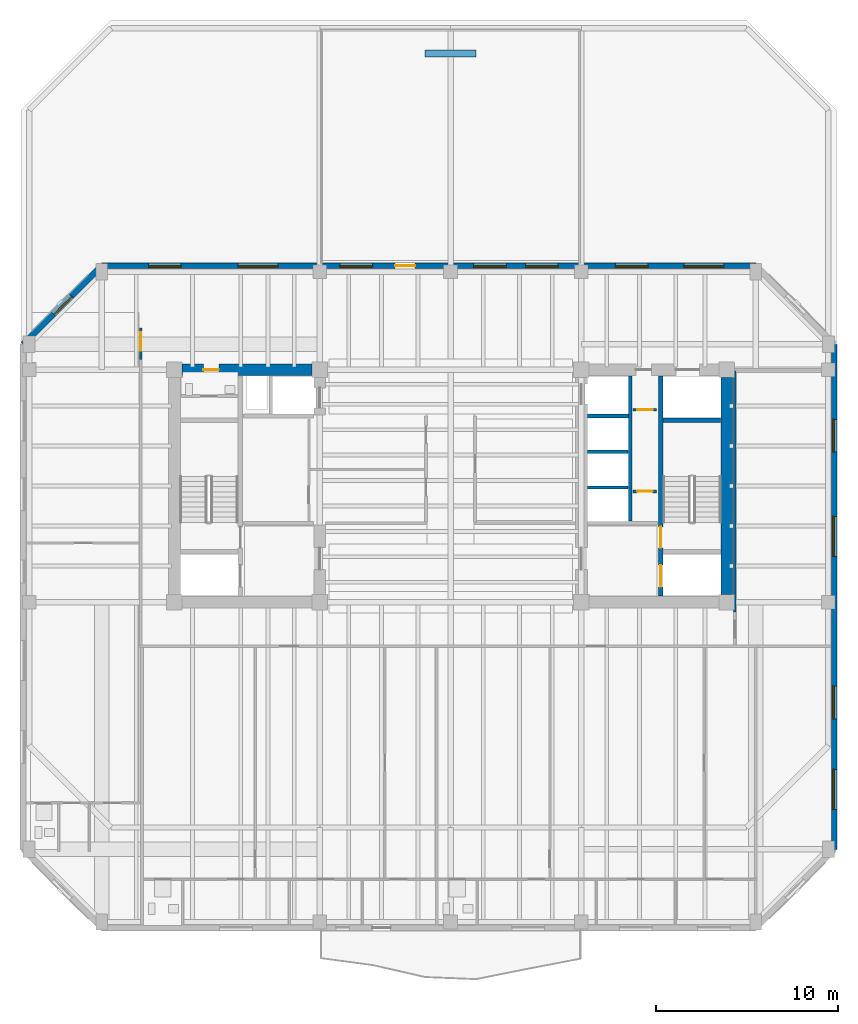
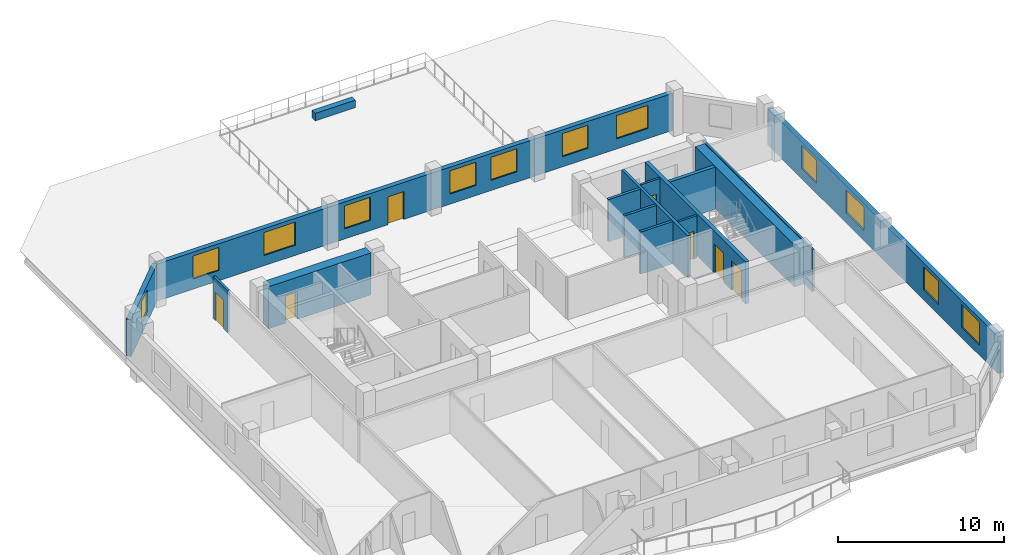
# One storey, part 5 of 11: 16 walls, 12 windows, 7 doors, 19 openings.
"""IFC4 building model written with IfcOpenShell, lengths in metres."""

from ifc_helpers import new_model, si_unit, direction, frame, frame_2d, origin, place, context, subcontext, project, spatial, rectangle, extrude, material, layer, layer_set, type_object, element, fill, save


model = new_model("IFC4")

# Units and contexts
model_context = context("Model", 3, precision=1e-05, world=origin(), true_north=direction((0.0, 1.0)))
body_context = subcontext(model_context, "Body", "Model", "MODEL_VIEW")
ifc_project = project(units=[si_unit("LENGTHUNIT", "METRE"), si_unit("AREAUNIT", "SQUARE_METRE"), si_unit("VOLUMEUNIT", "CUBIC_METRE"), si_unit("PLANEANGLEUNIT", "RADIAN"), si_unit("MASSUNIT", "GRAM", prefix="KILO")], contexts=[model_context])

# Site, building, storey
site_placement = place(None, origin())
site = spatial("IfcSite", under=ifc_project, at=site_placement, CompositionType="ELEMENT")
building_placement = place(site_placement, origin())
building = spatial("IfcBuilding", under=site, at=building_placement, Name="Kranthara Brick Stack", CompositionType="ELEMENT")
storey_placement = place(building_placement, frame((0.0, 0.0, 207.5)))
storey = spatial("IfcBuildingStorey", under=building, at=storey_placement, Name="L53", CompositionType="ELEMENT", Elevation=207.5)

# Wall, opening, window
ifc_material_1 = material(Name="Warm buff clay brick masonry M15", Category="masonry")
ifc_layer_1 = layer(ifc_material_1, 0.320068359375)
ifc_layer_set_1 = layer_set([ifc_layer_1], Name="Warm buff clay brick masonry M15")
wall_type_1 = type_object("IfcWallType", Name="WL-BRK-UPPR-320", PredefinedType="STANDARD", material=ifc_layer_set_1)
wall_1_placement = place(storey_placement, frame((4.47998046875, 35.0, 0.0), z_axis=(0.0, 0.0, 1.0), x_axis=(0.707106781187, 0.707106781187, 0.0)))
wall_1 = element("IfcWall", 1, at=wall_1_placement, inside=storey, type_object=wall_type_1, Name="L53 Exterior Brick Facade Wall NW 1", PredefinedType="STANDARD", context=body_context, shape_type="SweptSolid", body=[
    extrude(rectangle(XDim=6.109619140625, YDim=0.320068359375, at=frame_2d((3.0546875, 0.0))), origin(), (0.0, 0.0, 1.0), 2.72509765625),
])
opening_1_placement = place(wall_1_placement, frame((2.35498046875, 0.0, 0.75)))
opening_1 = element("IfcOpeningElement", 2, at=opening_1_placement, cuts=wall_1, Name="Opening WN10", PredefinedType="OPENING", context=body_context, shape_type="SweptSolid", body=[
    extrude(rectangle(XDim=1.39990234375, YDim=1.64990234375, at=frame_2d((0.699951171875, 0.824951171875))), frame((0.0, 0.169921875, 0.0), z_axis=(0.0, -1.0, 0.0), x_axis=(1.0, 0.0, 0.0)), (0.0, 0.0, 1.0), 0.340087890625),
])
ifc_material_2 = material(Name="Double-glazed low-E solar control glass", Category="glass")
window_type_1 = type_object("IfcWindowType", Name="WN-CHM-1400x1750", PartitioningType="SINGLE_PANEL", PredefinedType="WINDOW", material=ifc_material_2)
window_1_placement = place(opening_1_placement, origin())
window_1 = element("IfcWindow", 3, at=window_1_placement, inside=storey, type_object=window_type_1, Name="L53 NW Chamfer Corner Window", OverallHeight=1.64990234375, OverallWidth=1.39990234375, PartitioningType="SINGLE_PANEL", PredefinedType="WINDOW", context=body_context, shape_type="SweptSolid", body=[
    extrude(rectangle(XDim=1.39990234375, YDim=1.64990234375, at=frame_2d((0.699951171875, 0.824951171875))), frame((0.0, -0.010009765625, 0.0), z_axis=(0.0, -1.0, 0.0), x_axis=(1.0, 0.0, 0.0)), (0.0, 0.0, 1.0), 0.06005859375),
])
fill(opening_1, window_1)

# Wall, openings, door, windows
wall_2_placement = place(storey_placement, frame((8.800048828125, 39.320068359375, 0.0), z_axis=(0.0, 0.0, 1.0), x_axis=(1.0, 0.0, 0.0)))
wall_2 = element("IfcWall", 4, at=wall_2_placement, inside=storey, type_object=wall_type_1, Name="L53 Exterior Brick Facade Wall NORTH 1", PredefinedType="STANDARD", context=body_context, shape_type="SweptSolid", body=[
    extrude(rectangle(XDim=36.0, YDim=0.320068359375, at=frame_2d((18.0, 0.0))), origin(), (0.0, 0.0, 1.0), 2.72509765625),
])
opening_2_placement = place(wall_2_placement, frame((16.14990234375, 0.0, 0.0)))
opening_2 = element("IfcOpeningElement", 5, at=opening_2_placement, cuts=wall_2, Name="Opening D02", PredefinedType="OPENING", context=body_context, shape_type="SweptSolid", body=[
    extrude(rectangle(XDim=1.10009765625, YDim=2.050048828125, at=frame_2d((0.550048828125, 1.02490234375))), frame((0.0, 0.169921875, 0.0), z_axis=(0.0, -1.0, 0.0), x_axis=(1.0, 0.0, 0.0)), (0.0, 0.0, 1.0), 0.340087890625),
])
opening_3_placement = place(wall_2_placement, frame((2.575927734375, 0.0, 0.75)))
opening_3 = element("IfcOpeningElement", 6, at=opening_3_placement, cuts=wall_2, Name="Opening WN07", PredefinedType="OPENING", context=body_context, shape_type="SweptSolid", body=[
    extrude(rectangle(XDim=1.800048828125, YDim=1.699951171875, at=frame_2d((0.89990234375, 0.85009765625))), frame((0.0, 0.169921875, 0.0), z_axis=(0.0, -1.0, 0.0), x_axis=(1.0, 0.0, 0.0)), (0.0, 0.0, 1.0), 0.340087890625),
])
opening_4_placement = place(wall_2_placement, frame((7.5, 0.0, 0.75)))
opening_4 = element("IfcOpeningElement", 7, at=opening_4_placement, cuts=wall_2, Name="Opening WN08", PredefinedType="OPENING", context=body_context, shape_type="SweptSolid", body=[
    extrude(rectangle(XDim=2.199951171875, YDim=1.699951171875, at=frame_2d((1.10009765625, 0.85009765625))), frame((0.0, 0.169921875, 0.0), z_axis=(0.0, -1.0, 0.0), x_axis=(1.0, 0.0, 0.0)), (0.0, 0.0, 1.0), 0.340087890625),
])
opening_5_placement = place(wall_2_placement, frame((13.112060546875, 0.0, 0.75)))
opening_5 = element("IfcOpeningElement", 8, at=opening_5_placement, cuts=wall_2, Name="Opening WN07", PredefinedType="OPENING", context=body_context, shape_type="SweptSolid", body=[
    extrude(rectangle(XDim=1.800048828125, YDim=1.699951171875, at=frame_2d((0.89990234375, 0.85009765625))), frame((0.0, 0.169921875, 0.0), z_axis=(0.0, -1.0, 0.0), x_axis=(1.0, 0.0, 0.0)), (0.0, 0.0, 1.0), 0.340087890625),
])
opening_6_placement = place(wall_2_placement, frame((20.471923828125, 0.0, 0.75)))
opening_6 = element("IfcOpeningElement", 9, at=opening_6_placement, cuts=wall_2, Name="Opening WN07", PredefinedType="OPENING", context=body_context, shape_type="SweptSolid", body=[
    extrude(rectangle(XDim=1.800048828125, YDim=1.699951171875, at=frame_2d((0.89990234375, 0.85009765625))), frame((0.0, 0.169921875, 0.0), z_axis=(0.0, -1.0, 0.0), x_axis=(1.0, 0.0, 0.0)), (0.0, 0.0, 1.0), 0.340087890625),
])
opening_7_placement = place(wall_2_placement, frame((23.327880859375, 0.0, 0.75)))
opening_7 = element("IfcOpeningElement", 10, at=opening_7_placement, cuts=wall_2, Name="Opening WN07", PredefinedType="OPENING", context=body_context, shape_type="SweptSolid", body=[
    extrude(rectangle(XDim=1.800048828125, YDim=1.699951171875, at=frame_2d((0.89990234375, 0.85009765625))), frame((0.0, 0.169921875, 0.0), z_axis=(0.0, -1.0, 0.0), x_axis=(1.0, 0.0, 0.0)), (0.0, 0.0, 1.0), 0.340087890625),
])
opening_8_placement = place(wall_2_placement, frame((28.277099609375, 0.0, 0.75)))
opening_8 = element("IfcOpeningElement", 11, at=opening_8_placement, cuts=wall_2, Name="Opening WN07", PredefinedType="OPENING", context=body_context, shape_type="SweptSolid", body=[
    extrude(rectangle(XDim=1.800048828125, YDim=1.699951171875, at=frame_2d((0.89990234375, 0.85009765625))), frame((0.0, 0.169921875, 0.0), z_axis=(0.0, -1.0, 0.0), x_axis=(1.0, 0.0, 0.0)), (0.0, 0.0, 1.0), 0.340087890625),
])
opening_9_placement = place(wall_2_placement, frame((32.048095703125, 0.0, 0.75)))
opening_9 = element("IfcOpeningElement", 12, at=opening_9_placement, cuts=wall_2, Name="Opening WN08", PredefinedType="OPENING", context=body_context, shape_type="SweptSolid", body=[
    extrude(rectangle(XDim=2.199951171875, YDim=1.699951171875, at=frame_2d((1.10009765625, 0.85009765625))), frame((0.0, 0.169921875, 0.0), z_axis=(0.0, -1.0, 0.0), x_axis=(1.0, 0.0, 0.0)), (0.0, 0.0, 1.0), 0.340087890625),
])
ifc_material_3 = material(Name="Bronze anodised aluminium and laminated glass", Category="aluminium")
door_type_1 = type_object("IfcDoorType", Name="DR-TERR-1100", OperationType="NOTDEFINED", PredefinedType="DOOR", material=ifc_material_3)
door_1_placement = place(opening_2_placement, origin())
door_1 = element("IfcDoor", 13, at=door_1_placement, inside=storey, type_object=door_type_1, Name="L53 Planted Sky Garden Terrace Door", OperationType="SINGLE_SWING_LEFT", OverallHeight=2.050048828125, OverallWidth=1.10009765625, PredefinedType="DOOR", context=body_context, shape_type="SweptSolid", body=[
    extrude(rectangle(XDim=1.10009765625, YDim=2.050048828125, at=frame_2d((0.550048828125, 1.02490234375))), frame((0.0, 0.02490234375, 0.0), z_axis=(0.0, -1.0, 0.0), x_axis=(1.0, 0.0, 0.0)), (0.0, 0.0, 1.0), 0.050048828125),
])
fill(opening_2, door_1)
ifc_material_4 = material(Name="Double-glazed low-E solar control glass", Category="glass")
window_type_2 = type_object("IfcWindowType", Name="WN-RES-1800x1850", PartitioningType="DOUBLE_PANEL_VERTICAL", PredefinedType="WINDOW", material=ifc_material_4)
window_2_placement = place(opening_3_placement, origin())
window_2 = element("IfcWindow", 14, at=window_2_placement, inside=storey, type_object=window_type_2, Name="L53 North Deep-Set Brick Window 01", OverallHeight=1.699951171875, OverallWidth=1.800048828125, PartitioningType="SINGLE_PANEL", PredefinedType="WINDOW", context=body_context, shape_type="SweptSolid", body=[
    extrude(rectangle(XDim=1.800048828125, YDim=1.699951171875, at=frame_2d((0.89990234375, 0.85009765625))), frame((0.0, -0.010009765625, 0.0), z_axis=(0.0, -1.0, 0.0), x_axis=(1.0, 0.0, 0.0)), (0.0, 0.0, 1.0), 0.06005859375),
])
fill(opening_3, window_2)
window_3_placement = place(opening_5_placement, origin())
window_3 = element("IfcWindow", 15, at=window_3_placement, inside=storey, type_object=window_type_2, Name="L53 North Deep-Set Brick Window 03", OverallHeight=1.699951171875, OverallWidth=1.800048828125, PartitioningType="SINGLE_PANEL", PredefinedType="WINDOW", context=body_context, shape_type="SweptSolid", body=[
    extrude(rectangle(XDim=1.800048828125, YDim=1.699951171875, at=frame_2d((0.89990234375, 0.85009765625))), frame((0.0, -0.010009765625, 0.0), z_axis=(0.0, -1.0, 0.0), x_axis=(1.0, 0.0, 0.0)), (0.0, 0.0, 1.0), 0.06005859375),
])
fill(opening_5, window_3)
window_4_placement = place(opening_6_placement, origin())
window_4 = element("IfcWindow", 16, at=window_4_placement, inside=storey, type_object=window_type_2, Name="L53 North Deep-Set Brick Window 04", OverallHeight=1.699951171875, OverallWidth=1.800048828125, PartitioningType="SINGLE_PANEL", PredefinedType="WINDOW", context=body_context, shape_type="SweptSolid", body=[
    extrude(rectangle(XDim=1.800048828125, YDim=1.699951171875, at=frame_2d((0.89990234375, 0.85009765625))), frame((0.0, -0.010009765625, 0.0), z_axis=(0.0, -1.0, 0.0), x_axis=(1.0, 0.0, 0.0)), (0.0, 0.0, 1.0), 0.06005859375),
])
fill(opening_6, window_4)
window_5_placement = place(opening_7_placement, origin())
window_5 = element("IfcWindow", 17, at=window_5_placement, inside=storey, type_object=window_type_2, Name="L53 North Deep-Set Brick Window 05", OverallHeight=1.699951171875, OverallWidth=1.800048828125, PartitioningType="SINGLE_PANEL", PredefinedType="WINDOW", context=body_context, shape_type="SweptSolid", body=[
    extrude(rectangle(XDim=1.800048828125, YDim=1.699951171875, at=frame_2d((0.89990234375, 0.85009765625))), frame((0.0, -0.010009765625, 0.0), z_axis=(0.0, -1.0, 0.0), x_axis=(1.0, 0.0, 0.0)), (0.0, 0.0, 1.0), 0.06005859375),
])
fill(opening_7, window_5)
window_6_placement = place(opening_8_placement, origin())
window_6 = element("IfcWindow", 18, at=window_6_placement, inside=storey, type_object=window_type_2, Name="L53 North Deep-Set Brick Window 06", OverallHeight=1.699951171875, OverallWidth=1.800048828125, PartitioningType="SINGLE_PANEL", PredefinedType="WINDOW", context=body_context, shape_type="SweptSolid", body=[
    extrude(rectangle(XDim=1.800048828125, YDim=1.699951171875, at=frame_2d((0.89990234375, 0.85009765625))), frame((0.0, -0.010009765625, 0.0), z_axis=(0.0, -1.0, 0.0), x_axis=(1.0, 0.0, 0.0)), (0.0, 0.0, 1.0), 0.06005859375),
])
fill(opening_8, window_6)
ifc_material_5 = material(Name="Double-glazed low-E solar control glass", Category="glass")
window_type_3 = type_object("IfcWindowType", Name="WN-RES-2200x1850", PartitioningType="TRIPLE_PANEL_VERTICAL", PredefinedType="WINDOW", material=ifc_material_5)
window_7_placement = place(opening_4_placement, origin())
window_7 = element("IfcWindow", 19, at=window_7_placement, inside=storey, type_object=window_type_3, Name="L53 North Deep-Set Brick Window 02", OverallHeight=1.699951171875, OverallWidth=2.199951171875, PartitioningType="SINGLE_PANEL", PredefinedType="WINDOW", context=body_context, shape_type="SweptSolid", body=[
    extrude(rectangle(XDim=2.199951171875, YDim=1.699951171875, at=frame_2d((1.10009765625, 0.85009765625))), frame((0.0, -0.010009765625, 0.0), z_axis=(0.0, -1.0, 0.0), x_axis=(1.0, 0.0, 0.0)), (0.0, 0.0, 1.0), 0.06005859375),
])
fill(opening_4, window_7)
window_8_placement = place(opening_9_placement, origin())
window_8 = element("IfcWindow", 20, at=window_8_placement, inside=storey, type_object=window_type_3, Name="L53 North Deep-Set Brick Window 07", OverallHeight=1.699951171875, OverallWidth=2.199951171875, PartitioningType="SINGLE_PANEL", PredefinedType="WINDOW", context=body_context, shape_type="SweptSolid", body=[
    extrude(rectangle(XDim=2.199951171875, YDim=1.699951171875, at=frame_2d((1.10009765625, 0.85009765625))), frame((0.0, -0.010009765625, 0.0), z_axis=(0.0, -1.0, 0.0), x_axis=(1.0, 0.0, 0.0)), (0.0, 0.0, 1.0), 0.06005859375),
])
fill(opening_9, window_8)

# Wall, openings, windows
wall_3_placement = place(storey_placement, frame((49.1201171875, 35.0, 0.0), z_axis=(0.0, 0.0, 1.0), x_axis=(0.0, -1.0, 0.0)))
wall_3 = element("IfcWall", 21, at=wall_3_placement, inside=storey, type_object=wall_type_1, Name="L53 Exterior Brick Facade Wall EAST 1", PredefinedType="STANDARD", context=body_context, shape_type="SweptSolid", body=[
    extrude(rectangle(XDim=27.800048828125, YDim=0.320068359375, at=frame_2d((13.89990234375, 0.0))), origin(), (0.0, 0.0, 1.0), 2.72509765625),
])
opening_10_placement = place(wall_3_placement, frame((4.1279296875, 0.0, 0.75)))
opening_10 = element("IfcOpeningElement", 22, at=opening_10_placement, cuts=wall_3, Name="Opening WN07", PredefinedType="OPENING", context=body_context, shape_type="SweptSolid", body=[
    extrude(rectangle(XDim=1.800048828125, YDim=1.699951171875, at=frame_2d((0.89990234375, 0.85009765625))), frame((0.0, 0.169921875, 0.0), z_axis=(0.0, -1.0, 0.0), x_axis=(1.0, 0.0, 0.0)), (0.0, 0.0, 1.0), 0.340087890625),
])
opening_11_placement = place(wall_3_placement, frame((9.471923828125, 0.0, 0.75)))
opening_11 = element("IfcOpeningElement", 23, at=opening_11_placement, cuts=wall_3, Name="Opening WN08", PredefinedType="OPENING", context=body_context, shape_type="SweptSolid", body=[
    extrude(rectangle(XDim=2.199951171875, YDim=1.699951171875, at=frame_2d((1.10009765625, 0.85009765625))), frame((0.0, 0.169921875, 0.0), z_axis=(0.0, -1.0, 0.0), x_axis=(1.0, 0.0, 0.0)), (0.0, 0.0, 1.0), 0.340087890625),
])
opening_12_placement = place(wall_3_placement, frame((18.81494140625, 0.0, 0.75)))
opening_12 = element("IfcOpeningElement", 24, at=opening_12_placement, cuts=wall_3, Name="Opening WN07", PredefinedType="OPENING", context=body_context, shape_type="SweptSolid", body=[
    extrude(rectangle(XDim=1.800048828125, YDim=1.699951171875, at=frame_2d((0.89990234375, 0.85009765625))), frame((0.0, 0.169921875, 0.0), z_axis=(0.0, -1.0, 0.0), x_axis=(1.0, 0.0, 0.0)), (0.0, 0.0, 1.0), 0.340087890625),
])
opening_13_placement = place(wall_3_placement, frame((23.405029296875, 0.0, 0.75)))
opening_13 = element("IfcOpeningElement", 25, at=opening_13_placement, cuts=wall_3, Name="Opening WN08", PredefinedType="OPENING", context=body_context, shape_type="SweptSolid", body=[
    extrude(rectangle(XDim=2.199951171875, YDim=1.699951171875, at=frame_2d((1.10009765625, 0.85009765625))), frame((0.0, 0.169921875, 0.0), z_axis=(0.0, -1.0, 0.0), x_axis=(1.0, 0.0, 0.0)), (0.0, 0.0, 1.0), 0.340087890625),
])
window_9_placement = place(opening_10_placement, origin())
window_9 = element("IfcWindow", 26, at=window_9_placement, inside=storey, type_object=window_type_2, Name="L53 East Deep-Set Brick Window 01", OverallHeight=1.699951171875, OverallWidth=1.800048828125, PartitioningType="SINGLE_PANEL", PredefinedType="WINDOW", context=body_context, shape_type="SweptSolid", body=[
    extrude(rectangle(XDim=1.800048828125, YDim=1.699951171875, at=frame_2d((0.89990234375, 0.85009765625))), frame((0.0, -0.010009765625, 0.0), z_axis=(0.0, -1.0, 0.0), x_axis=(1.0, 0.0, 0.0)), (0.0, 0.0, 1.0), 0.06005859375),
])
fill(opening_10, window_9)
window_10_placement = place(opening_12_placement, origin())
window_10 = element("IfcWindow", 27, at=window_10_placement, inside=storey, type_object=window_type_2, Name="L53 East Deep-Set Brick Window 03", OverallHeight=1.699951171875, OverallWidth=1.800048828125, PartitioningType="SINGLE_PANEL", PredefinedType="WINDOW", context=body_context, shape_type="SweptSolid", body=[
    extrude(rectangle(XDim=1.800048828125, YDim=1.699951171875, at=frame_2d((0.89990234375, 0.85009765625))), frame((0.0, -0.010009765625, 0.0), z_axis=(0.0, -1.0, 0.0), x_axis=(1.0, 0.0, 0.0)), (0.0, 0.0, 1.0), 0.06005859375),
])
fill(opening_12, window_10)
window_11_placement = place(opening_11_placement, origin())
window_11 = element("IfcWindow", 28, at=window_11_placement, inside=storey, type_object=window_type_3, Name="L53 East Deep-Set Brick Window 02", OverallHeight=1.699951171875, OverallWidth=2.199951171875, PartitioningType="SINGLE_PANEL", PredefinedType="WINDOW", context=body_context, shape_type="SweptSolid", body=[
    extrude(rectangle(XDim=2.199951171875, YDim=1.699951171875, at=frame_2d((1.10009765625, 0.85009765625))), frame((0.0, -0.010009765625, 0.0), z_axis=(0.0, -1.0, 0.0), x_axis=(1.0, 0.0, 0.0)), (0.0, 0.0, 1.0), 0.06005859375),
])
fill(opening_11, window_11)
window_12_placement = place(opening_13_placement, origin())
window_12 = element("IfcWindow", 29, at=window_12_placement, inside=storey, type_object=window_type_3, Name="L53 East Deep-Set Brick Window 04", OverallHeight=1.699951171875, OverallWidth=2.199951171875, PartitioningType="SINGLE_PANEL", PredefinedType="WINDOW", context=body_context, shape_type="SweptSolid", body=[
    extrude(rectangle(XDim=2.199951171875, YDim=1.699951171875, at=frame_2d((1.10009765625, 0.85009765625))), frame((0.0, -0.010009765625, 0.0), z_axis=(0.0, -1.0, 0.0), x_axis=(1.0, 0.0, 0.0)), (0.0, 0.0, 1.0), 0.06005859375),
])
fill(opening_13, window_12)

# Wall, openings, doors
ifc_material_6 = material(Name="Concrete C50/60", Category="concrete")
ifc_layer_2 = layer(ifc_material_6, 0.25)
ifc_layer_set_2 = layer_set([ifc_layer_2], Name="Concrete C50/60")
wall_type_2 = type_object("IfcWallType", Name="WL-CORE-250", PredefinedType="SHEAR", material=ifc_layer_set_2)
wall_4_placement = place(storey_placement, frame((39.56494140625, 21.135009765625, 0.0), z_axis=(0.0, 0.0, 1.0), x_axis=(0.0, 1.0, 0.0)))
wall_4 = element("IfcWall", 30, at=wall_4_placement, inside=storey, type_object=wall_type_2, Name="L53 East Core Stair Bearing Spine Wall", PredefinedType="SHEAR", context=body_context, shape_type="SweptSolid", body=[
    extrude(rectangle(XDim=12.1298828125, YDim=0.25, at=frame_2d((6.06494140625, 0.0))), origin(), (0.0, 0.0, 1.0), 3.10009765625),
])
opening_14_placement = place(wall_4_placement, frame((0.514892578125, 0.0, 0.0)))
opening_14 = element("IfcOpeningElement", 31, at=opening_14_placement, cuts=wall_4, Name="Opening LD01", PredefinedType="OPENING", context=body_context, shape_type="SweptSolid", body=[
    extrude(rectangle(XDim=1.199951171875, YDim=2.14990234375, at=frame_2d((0.60009765625, 1.074951171875))), frame((0.0, 0.135009765625, 0.0), z_axis=(0.0, -1.0, 0.0), x_axis=(1.0, 0.0, 0.0)), (0.0, 0.0, 1.0), 0.27001953125),
])
opening_15_placement = place(wall_4_placement, frame((2.6650390625, 0.0, 0.0)))
opening_15 = element("IfcOpeningElement", 32, at=opening_15_placement, cuts=wall_4, Name="Opening D05", PredefinedType="OPENING", context=body_context, shape_type="SweptSolid", body=[
    extrude(rectangle(XDim=1.14990234375, YDim=2.14990234375, at=frame_2d((0.574951171875, 1.074951171875))), frame((0.0, 0.135009765625, 0.0), z_axis=(0.0, -1.0, 0.0), x_axis=(1.0, 0.0, 0.0)), (0.0, 0.0, 1.0), 0.27001953125),
])
ifc_material_7 = material(Name="Stainless steel sliding landing door", Category="steel")
door_type_2 = type_object("IfcDoorType", Name="DR-LD-FF1200", OperationType="DOUBLE_DOOR_SLIDING", PredefinedType="DOOR", material=ifc_material_7)
door_2_placement = place(opening_14_placement, origin())
door_2 = element("IfcDoor", 33, at=door_2_placement, inside=storey, type_object=door_type_2, Name="L53 Firefighting Lift FF-02 Landing Door", OperationType="DOUBLE_DOOR_SLIDING", OverallHeight=2.14990234375, OverallWidth=1.199951171875, PredefinedType="DOOR", context=body_context, shape_type="SweptSolid", body=[
    extrude(rectangle(XDim=1.199951171875, YDim=2.14990234375, at=frame_2d((0.60009765625, 1.074951171875))), frame((0.0, 0.02490234375, 0.0), z_axis=(0.0, -1.0, 0.0), x_axis=(1.0, 0.0, 0.0)), (0.0, 0.0, 1.0), 0.050048828125),
])
fill(opening_14, door_2)
ifc_material_8 = material(Name="Solid-core hardwood timber leaf in steel frame", Category="steel")
door_type_3 = type_object("IfcDoorType", Name="DR-ST-1150", OperationType="NOTDEFINED", PredefinedType="DOOR", material=ifc_material_8)
door_3_placement = place(opening_15_placement, origin())
door_3 = element("IfcDoor", 34, at=door_3_placement, inside=storey, type_object=door_type_3, Name="L53 Exit Stair ST02 Door", OperationType="SINGLE_SWING_LEFT", OverallHeight=2.14990234375, OverallWidth=1.14990234375, PredefinedType="DOOR", context=body_context, shape_type="SweptSolid", body=[
    extrude(rectangle(XDim=1.14990234375, YDim=2.14990234375, at=frame_2d((0.574951171875, 1.074951171875))), frame((0.0, 0.02490234375, 0.0), z_axis=(0.0, -1.0, 0.0), x_axis=(1.0, 0.0, 0.0)), (0.0, 0.0, 1.0), 0.050048828125),
])
fill(opening_15, door_3)

# Wall
wall_5_placement = place(storey_placement, frame((39.68994140625, 30.830078125, 0.0), z_axis=(0.0, 0.0, 1.0), x_axis=(1.0, 0.0, 0.0)))
element("IfcWall", 35, at=wall_5_placement, inside=storey, type_object=wall_type_2, Name="L53 East Stairwell Bearing Wall EST", PredefinedType="SHEAR", context=body_context, shape_type="SweptSolid", body=[
    extrude(rectangle(XDim=3.175048828125, YDim=0.25, at=frame_2d((1.58740234375, 0.0))), origin(), (0.0, 0.0, 1.0), 3.10009765625),
])

# Wall, opening, door
ifc_material_9 = material(Name="Concrete C60/75", Category="concrete")
ifc_layer_3 = layer(ifc_material_9, 0.64990234375)
ifc_layer_set_3 = layer_set([ifc_layer_3], Name="Concrete C60/75")
wall_type_3 = type_object("IfcWallType", Name="WL-CORE-650", PredefinedType="SHEAR", material=ifc_layer_set_3)
wall_6_placement = place(storey_placement, frame((13.22998046875, 33.60009765625, 0.0), z_axis=(0.0, 0.0, 1.0), x_axis=(1.0, 0.0, 0.0)))
wall_6 = element("IfcWall", 36, at=wall_6_placement, inside=storey, type_object=wall_type_3, Name="L53 West Core Shear Wall North", PredefinedType="SHEAR", context=body_context, shape_type="SweptSolid", body=[
    extrude(rectangle(XDim=7.14013671875, YDim=0.64990234375, at=frame_2d((3.570068359375, 0.0))), origin(), (0.0, 0.0, 1.0), 3.10009765625),
])
opening_16_placement = place(wall_6_placement, frame((1.169921875, 0.0, 0.0)))
opening_16 = element("IfcOpeningElement", 37, at=opening_16_placement, cuts=wall_6, Name="Opening D10", PredefinedType="OPENING", context=body_context, shape_type="SweptSolid", body=[
    extrude(rectangle(XDim=0.85009765625, YDim=2.02001953125, at=frame_2d((0.425048828125, 1.010009765625))), frame((0.0, 0.3349609375, 0.0), z_axis=(0.0, -1.0, 0.0), x_axis=(1.0, 0.0, 0.0)), (0.0, 0.0, 1.0), 0.669921875),
])
ifc_material_10 = material(Name="Solid-core hardwood timber leaf in steel frame", Category="steel")
door_type_4 = type_object("IfcDoorType", Name="DR-RSR-850", OperationType="NOTDEFINED", PredefinedType="DOOR", material=ifc_material_10)
door_4_placement = place(opening_16_placement, origin())
door_4 = element("IfcDoor", 38, at=door_4_placement, inside=storey, type_object=door_type_4, Name="L53 West Core Service Door 1", OperationType="SINGLE_SWING_LEFT", OverallHeight=2.02001953125, OverallWidth=0.85009765625, PredefinedType="DOOR", context=body_context, shape_type="SweptSolid", body=[
    extrude(rectangle(XDim=0.85009765625, YDim=2.02001953125, at=frame_2d((0.425048828125, 1.010009765625))), frame((0.0, 0.02490234375, 0.0), z_axis=(0.0, -1.0, 0.0), x_axis=(1.0, 0.0, 0.0)), (0.0, 0.0, 1.0), 0.050048828125),
])
fill(opening_16, door_4)

# Wall
wall_7_placement = place(storey_placement, frame((43.199951171875, 21.22998046875, 0.0), z_axis=(0.0, 0.0, 1.0), x_axis=(0.0, 1.0, 0.0)))
element("IfcWall", 39, at=wall_7_placement, inside=storey, type_object=wall_type_3, Name="L53 East Core Shear Wall East", PredefinedType="SHEAR", context=body_context, shape_type="SweptSolid", body=[
    extrude(rectangle(XDim=11.93994140625, YDim=0.64990234375, at=frame_2d((5.969970703125, 0.0))), origin(), (0.0, 0.0, 1.0), 3.10009765625),
])

# Wall, opening, door
ifc_material_11 = material(Name="Fire-rated gypsum board partition", Category="other")
ifc_layer_4 = layer(ifc_material_11, 0.14990234375)
ifc_layer_set_4 = layer_set([ifc_layer_4], Name="Fire-rated gypsum board partition")
wall_type_4 = type_object("IfcWallType", Name="WL-PART-150", PredefinedType="PARTITIONING", material=ifc_layer_set_4)
wall_8_placement = place(storey_placement, frame((38.050048828125, 26.89990234375, 0.0), z_axis=(0.0, 0.0, 1.0), x_axis=(1.0, 0.0, 0.0)))
wall_8 = element("IfcWall", 40, at=wall_8_placement, inside=storey, type_object=wall_type_4, Name="L53 Interior Partition 002", PredefinedType="PARTITIONING", context=body_context, shape_type="SweptSolid", body=[
    extrude(rectangle(XDim=1.300048828125, YDim=0.14990234375, at=frame_2d((0.64990234375, 0.0))), origin(), (0.0, 0.0, 1.0), 3.10009765625),
])
opening_17_placement = place(wall_8_placement, frame((0.219970703125, 0.0, 0.0)))
opening_17 = element("IfcOpeningElement", 41, at=opening_17_placement, cuts=wall_8, Name="Opening D10", PredefinedType="OPENING", context=body_context, shape_type="SweptSolid", body=[
    extrude(rectangle(XDim=0.85009765625, YDim=2.02001953125, at=frame_2d((0.425048828125, 1.010009765625))), frame((0.0, 0.0849609375, 0.0), z_axis=(0.0, -1.0, 0.0), x_axis=(1.0, 0.0, 0.0)), (0.0, 0.0, 1.0), 0.169921875),
])
door_5_placement = place(opening_17_placement, origin())
door_5 = element("IfcDoor", 42, at=door_5_placement, inside=storey, type_object=door_type_4, Name="L53 East Valve Door 02", OperationType="SINGLE_SWING_RIGHT", OverallHeight=2.02001953125, OverallWidth=0.85009765625, PredefinedType="DOOR", context=body_context, shape_type="SweptSolid", body=[
    extrude(rectangle(XDim=0.85009765625, YDim=2.02001953125, at=frame_2d((0.425048828125, 1.010009765625))), frame((0.0, 0.02490234375, 0.0), z_axis=(0.0, -1.0, 0.0), x_axis=(1.0, 0.0, 0.0)), (0.0, 0.0, 1.0), 0.050048828125),
])
fill(opening_17, door_5)

wall_9_placement = place(storey_placement, frame((38.050048828125, 31.39990234375, 0.0), z_axis=(0.0, 0.0, 1.0), x_axis=(1.0, 0.0, 0.0)))
wall_9 = element("IfcWall", 43, at=wall_9_placement, inside=storey, type_object=wall_type_4, Name="L53 Interior Partition 003", PredefinedType="PARTITIONING", context=body_context, shape_type="SweptSolid", body=[
    extrude(rectangle(XDim=1.300048828125, YDim=0.14990234375, at=frame_2d((0.64990234375, 0.0))), origin(), (0.0, 0.0, 1.0), 3.10009765625),
])
opening_18_placement = place(wall_9_placement, frame((0.219970703125, 0.0, 0.0)))
opening_18 = element("IfcOpeningElement", 44, at=opening_18_placement, cuts=wall_9, Name="Opening D10", PredefinedType="OPENING", context=body_context, shape_type="SweptSolid", body=[
    extrude(rectangle(XDim=0.85009765625, YDim=2.02001953125, at=frame_2d((0.425048828125, 1.010009765625))), frame((0.0, 0.0849609375, 0.0), z_axis=(0.0, -1.0, 0.0), x_axis=(1.0, 0.0, 0.0)), (0.0, 0.0, 1.0), 0.169921875),
])
door_6_placement = place(opening_18_placement, origin())
door_6 = element("IfcDoor", 45, at=door_6_placement, inside=storey, type_object=door_type_4, Name="L53 East Switch Door 03", OperationType="SINGLE_SWING_LEFT", OverallHeight=2.02001953125, OverallWidth=0.85009765625, PredefinedType="DOOR", context=body_context, shape_type="SweptSolid", body=[
    extrude(rectangle(XDim=0.85009765625, YDim=2.02001953125, at=frame_2d((0.425048828125, 1.010009765625))), frame((0.0, 0.02490234375, 0.0), z_axis=(0.0, -1.0, 0.0), x_axis=(1.0, 0.0, 0.0)), (0.0, 0.0, 1.0), 0.050048828125),
])
fill(opening_18, door_6)

wall_10_placement = place(storey_placement, frame((10.949951171875, 34.14990234375, 0.0), z_axis=(0.0, 0.0, 1.0), x_axis=(0.0, 1.0, 0.0)))
wall_10 = element("IfcWall", 46, at=wall_10_placement, inside=storey, type_object=wall_type_4, Name="L53 Interior Partition 029", PredefinedType="PARTITIONING", context=body_context, shape_type="SweptSolid", body=[
    extrude(rectangle(XDim=1.75, YDim=0.14990234375, at=frame_2d((0.875, 0.0))), origin(), (0.0, 0.0, 1.0), 3.10009765625),
])
opening_19_placement = place(wall_10_placement, frame((0.5, 0.0, 0.0)))
opening_19 = element("IfcOpeningElement", 47, at=opening_19_placement, cuts=wall_10, Name="Opening D08", PredefinedType="OPENING", context=body_context, shape_type="SweptSolid", body=[
    extrude(rectangle(XDim=1.0, YDim=2.10009765625, at=frame_2d((0.5, 1.050048828125))), frame((0.0, 0.0849609375, 0.0), z_axis=(0.0, -1.0, 0.0), x_axis=(1.0, 0.0, 0.0)), (0.0, 0.0, 1.0), 0.169921875),
])
ifc_material_12 = material(Name="Solid-core hardwood timber leaf in steel frame", Category="steel")
door_type_5 = type_object("IfcDoorType", Name="DR-FD-1000", OperationType="NOTDEFINED", PredefinedType="DOOR", material=ifc_material_12)
door_7_placement = place(opening_19_placement, origin())
door_7 = element("IfcDoor", 48, at=door_7_placement, inside=storey, type_object=door_type_5, Name="L53 Unit L53C Entrance 22", OperationType="SINGLE_SWING_RIGHT", OverallHeight=2.10009765625, OverallWidth=1.0, PredefinedType="DOOR", context=body_context, shape_type="SweptSolid", body=[
    extrude(rectangle(XDim=1.0, YDim=2.10009765625, at=frame_2d((0.5, 1.050048828125))), frame((0.0, 0.02490234375, 0.0), z_axis=(0.0, -1.0, 0.0), x_axis=(1.0, 0.0, 0.0)), (0.0, 0.0, 1.0), 0.050048828125),
])
fill(opening_19, door_7)

# Walls
wall_11_placement = place(storey_placement, frame((43.64990234375, 20.25, 0.0), z_axis=(0.0, 0.0, 1.0), x_axis=(0.0, 1.0, 0.0)))
element("IfcWall", 49, at=wall_11_placement, inside=storey, type_object=wall_type_4, Name="L53 Interior Partition 038", PredefinedType="PARTITIONING", context=body_context, shape_type="SweptSolid", body=[
    extrude(rectangle(XDim=13.27001953125, YDim=0.14990234375, at=frame_2d((6.635009765625, 0.0))), origin(), (0.0, 0.0, 1.0), 3.10009765625),
])
ifc_material_13 = material(Name="Gypsum plasterboard on acoustic twin stud", Category="other")
ifc_layer_5 = layer(ifc_material_13, 0.179931640625)
ifc_layer_set_5 = layer_set([ifc_layer_5], Name="Gypsum plasterboard on acoustic twin stud")
wall_type_5 = type_object("IfcWallType", Name="WL-PART-180", PredefinedType="PARTITIONING", material=ifc_layer_set_5)
for number, where, z_axis, x_axis, name in (
    (50, (35.534912109375, 27.1201171875, 0.0), (0.0, 0.0, 1.0), (1.0, 0.0, 0.0), "L53 East Hoistway Wall EH1"),
    (51, (35.534912109375, 29.080078125, 0.0), (0.0, 0.0, 1.0), (1.0, 0.0, 0.0), "L53 East Hoistway Wall EH2"),
):
    element("IfcWall", number, at=place(storey_placement, frame(where, z_axis=z_axis, x_axis=x_axis)), inside=storey, type_object=wall_type_5, Name=name, PredefinedType="PARTITIONING", context=body_context, shape_type="SweptSolid", body=[
        extrude(rectangle(XDim=2.2451171875, YDim=0.179931640625, at=frame_2d((1.12255859375, 0.0))), origin(), (0.0, 0.0, 1.0), 3.10009765625),
    ])
ifc_material_14 = material(Name="Concrete C40/50", Category="concrete")
ifc_layer_6 = layer(ifc_material_14, 0.199951171875)
ifc_layer_set_6 = layer_set([ifc_layer_6], Name="Concrete C40/50")
wall_type_6 = type_object("IfcWallType", Name="WL-PART-200", PredefinedType="SOLIDWALL", material=ifc_layer_set_6)
wall_12_placement = place(storey_placement, frame((35.550048828125, 31.050048828125, 0.0), z_axis=(0.0, 0.0, 1.0), x_axis=(1.0, 0.0, 0.0)))
element("IfcWall", 52, at=wall_12_placement, inside=storey, type_object=wall_type_6, Name="L53 East Core Cross Wall EE4", PredefinedType="SOLIDWALL", context=body_context, shape_type="SweptSolid", body=[
    extrude(rectangle(XDim=2.25, YDim=0.199951171875, at=frame_2d((1.125, 0.0))), origin(), (0.0, 0.0, 1.0), 3.10009765625),
])
wall_13_placement = place(storey_placement, frame((37.89990234375, 25.27001953125, 0.0), z_axis=(0.0, 0.0, 1.0), x_axis=(0.0, 1.0, 0.0)))
element("IfcWall", 53, at=wall_13_placement, inside=storey, type_object=wall_type_6, Name="L53 East Core Cross Wall ESV", PredefinedType="SOLIDWALL", context=body_context, shape_type="SweptSolid", body=[
    extrude(rectangle(XDim=7.994873046875, YDim=0.199951171875, at=frame_2d((3.99755859375, 0.0))), origin(), (0.0, 0.0, 1.0), 3.10009765625),
])
ifc_material_15 = material(Name="Precast concrete C40/50", Category="concrete")
ifc_layer_7 = layer(ifc_material_15, 0.219970703125)
ifc_layer_set_7 = layer_set([ifc_layer_7], Name="Precast concrete C40/50")
wall_type_7 = type_object("IfcWallType", Name="WL-PLN-KERB-220", PredefinedType="PARAPET", material=ifc_layer_set_7)
wall_14_placement = place(storey_placement, frame((26.60009765625, 51.0, 0.0), z_axis=(0.0, 0.0, 1.0), x_axis=(1.0, 0.0, 0.0)))
element("IfcWall", 54, at=wall_14_placement, inside=storey, type_object=wall_type_7, Name="L53 Sky Garden Planted Planter Bed", PredefinedType="PARAPET", context=body_context, shape_type="SweptSolid", body=[
    extrude(rectangle(XDim=2.7998046875, YDim=0.39990234375, at=frame_2d((1.39990234375, 0.0))), origin(), (0.0, 0.0, 1.0), 0.550048828125),
])

save(model, "model.ifc")
